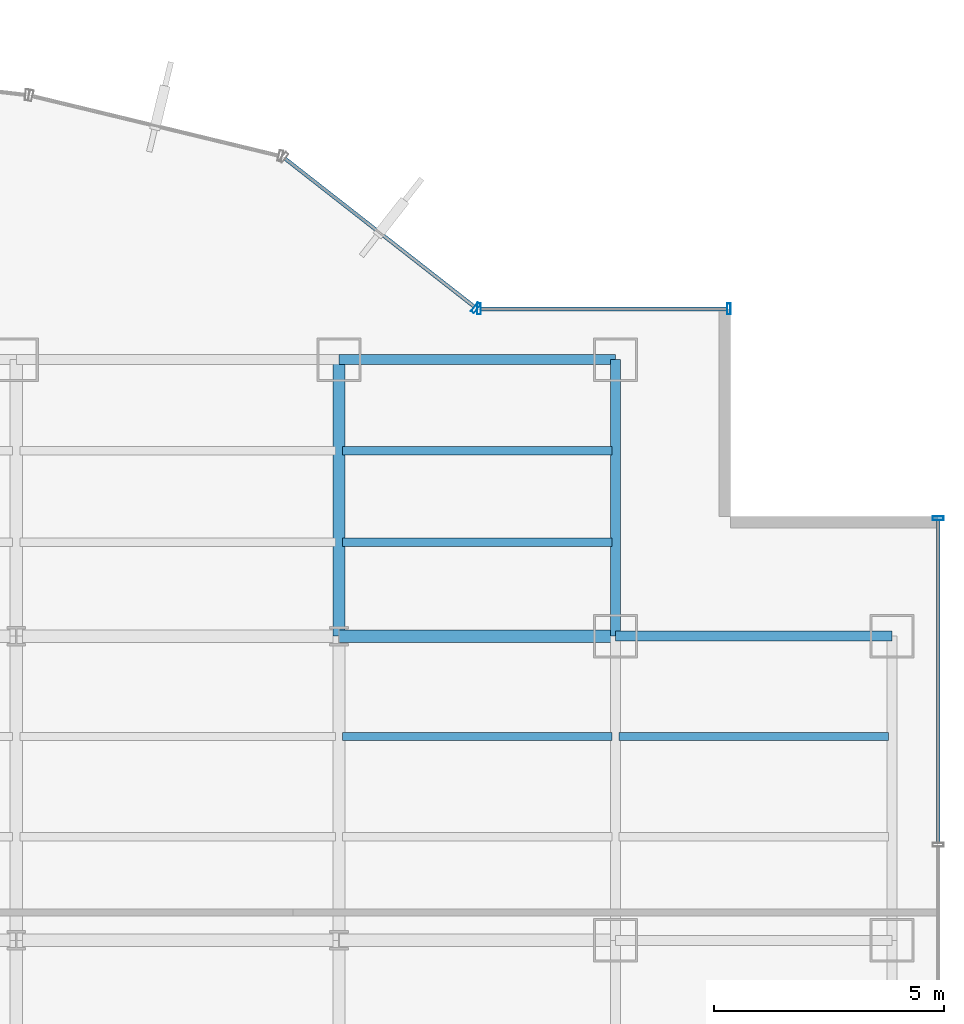
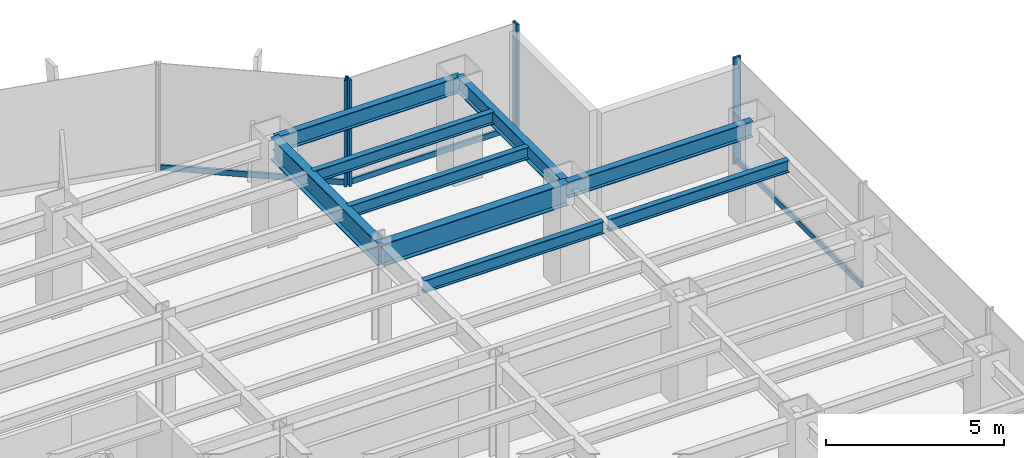
# One storey, part 15 of 22: 9 beams, 7 members, 3 elements without a shape of their own.
"""IFC4 building model written with IfcOpenShell, lengths in metres."""

from ifc_helpers import new_model, si_unit, derived_unit, direction, frame, origin, origin_2d, place, context, subcontext, project, spatial, hollow_rectangle, i_section, extrude, source, transform, mapped, material, material_profile, profile_set, type_object, element, aggregate, save


model = new_model("IFC4")

# Units and contexts
model_context = context("Model", 3, precision=1e-05, world=origin(), true_north=direction((0.0, 1.0)))
body_context = subcontext(model_context, "Body", "Model", "MODEL_VIEW")
ifc_project = project(units=[si_unit("LENGTHUNIT", "METRE"), si_unit("AREAUNIT", "SQUARE_METRE"), si_unit("VOLUMEUNIT", "CUBIC_METRE"), si_unit("PLANEANGLEUNIT", "RADIAN"), si_unit("MASSUNIT", "GRAM", prefix="KILO"), derived_unit("THERMALTRANSMITTANCEUNIT", [(si_unit("POWERUNIT", "WATT"), 1), (si_unit("LENGTHUNIT", "METRE"), -2), (si_unit("THERMODYNAMICTEMPERATUREUNIT", "KELVIN"), -1)])], contexts=[model_context])

# Site, building, storey
site_placement = place(None, origin())
site = spatial("IfcSite", under=ifc_project, at=site_placement, CompositionType="ELEMENT")
building_placement = place(site_placement, origin())
building = spatial("IfcBuilding", under=site, at=building_placement, Name="Skarnbrae Concourse Arena and Tower", CompositionType="ELEMENT")
storey_placement = place(building_placement, frame((0.0, 0.0, 36.14990234375)))
storey = spatial("IfcBuildingStorey", under=building, at=storey_placement, Name="L07", CompositionType="ELEMENT", Elevation=36.14990234375)

# Beams
ifc_material_1 = material(Name="Steel CSA G40.21 350W", Category="steel")
ifc_material_profile_1 = material_profile(ifc_material_1, i_section(OverallWidth=0.214111328125, OverallDepth=0.549072265625, WebThickness=0.0146484375, FlangeThickness=0.023681640625, at=origin_2d()), Name="W530X138")
ifc_profile_set_1 = profile_set([ifc_material_profile_1], Name="Steel CSA G40.21 350W")
beam_type_1 = type_object("IfcBeamType", Name="BM-SPAN-W530X138", PredefinedType="SPANDREL", material=ifc_profile_set_1)
shared_shape_1 = source(origin(), body_context, "Body", "SweptSolid", [
    extrude(i_section(OverallWidth=0.214111328125, OverallDepth=0.549072265625, WebThickness=0.0146484375, FlangeThickness=0.023681640625, at=origin_2d()), origin(), (0.0, 0.0, 1.0), 6.0),
])
for number, where, z_axis, x_axis, name in (
    (1, (55.0, 34.39990234375, 3.12548828125), (1.0, 0.0, 0.0), (0.0, 1.0, 0.0), "L07 Perimeter spandrel Y34.4-9"),
    (2, (49.0, 40.39990234375, 3.12548828125), (1.0, 0.0, 0.0), (0.0, 1.0, 0.0), "L07 Perimeter spandrel Y40.4-7"),
    (3, (55.0, 34.39990234375, 3.12548828125), (0.0, 1.0, 0.0), (-1.0, 0.0, 0.0), "L07 Perimeter spandrel X55.0-5"),
):
    element("IfcBeam", number, at=place(storey_placement, frame(where, z_axis=z_axis, x_axis=x_axis)), inside=storey, type_object=beam_type_1, Name=name, PredefinedType="SPANDREL", context=body_context, shape_type="MappedRepresentation", body=[
        mapped(shared_shape_1, transform((0.0, 0.0, 0.0))),
    ])
ifc_material_profile_2 = material_profile(ifc_material_1, i_section(OverallWidth=0.26806640625, OverallDepth=0.77001953125, WebThickness=0.015625, FlangeThickness=0.025390625, at=origin_2d()), Name="W760X196")
ifc_profile_set_2 = profile_set([ifc_material_profile_2], Name="Steel CSA G40.21 350W")
beam_type_2 = type_object("IfcBeamType", Name="BM-GIRD-W760X196", PredefinedType="BEAM", material=ifc_profile_set_2)
shared_shape_2 = source(origin(), body_context, "Body", "SweptSolid", [
    extrude(i_section(OverallWidth=0.26806640625, OverallDepth=0.77001953125, WebThickness=0.015625, FlangeThickness=0.025390625, at=origin_2d()), origin(), (0.0, 0.0, 1.0), 6.0),
])
for number, where, z_axis, x_axis, name in (
    (4, (49.0, 34.39990234375, 3.01513671875), (1.0, 0.0, 0.0), (0.0, 1.0, 0.0), "L07 Primary E-W girder Y34.4-8"),
    (5, (49.0, 34.39990234375, 3.01513671875), (0.0, 1.0, 0.0), (-1.0, 0.0, 0.0), "L07 Primary N-S girder X49.0-5"),
):
    element("IfcBeam", number, at=place(storey_placement, frame(where, z_axis=z_axis, x_axis=x_axis)), inside=storey, type_object=beam_type_2, Name=name, PredefinedType="BEAM", context=body_context, shape_type="MappedRepresentation", body=[
        mapped(shared_shape_2, transform((0.0, 0.0, 0.0))),
    ])
ifc_material_profile_3 = material_profile(ifc_material_1, i_section(OverallWidth=0.180908203125, OverallDepth=0.4169921875, WebThickness=0.010986328125, FlangeThickness=0.018310546875, at=origin_2d()), Name="W410X85")
ifc_profile_set_3 = profile_set([ifc_material_profile_3], Name="Steel CSA G40.21 350W")
beam_type_3 = type_object("IfcBeamType", Name="BM-JOIST-W410X85", PredefinedType="JOIST", material=ifc_profile_set_3)
shared_shape_3 = source(origin(), body_context, "Body", "SweptSolid", [
    extrude(i_section(OverallWidth=0.180908203125, OverallDepth=0.4169921875, WebThickness=0.010986328125, FlangeThickness=0.018310546875, at=origin_2d()), origin(), (0.0, 0.0, 1.0), 5.83984375),
])
for number, where, z_axis, x_axis, name in (
    (6, (49.080078125, 32.221923828125, 3.191650390625), (1.0, 0.0, 0.0), (0.0, 1.0, 0.0), "L07 Secondary floor joist 3.2.8"),
    (7, (55.080078125, 32.221923828125, 3.191650390625), (1.0, 0.0, 0.0), (0.0, 1.0, 0.0), "L07 Secondary floor joist 3.2.9"),
    (8, (49.080078125, 36.43994140625, 3.191650390625), (1.0, 0.0, 0.0), (0.0, 1.0, 0.0), "L07 Secondary floor joist 4.1.7"),
    (9, (49.080078125, 38.419921875, 3.191650390625), (1.0, 0.0, 0.0), (0.0, 1.0, 0.0), "L07 Secondary floor joist 4.2.7"),
):
    element("IfcBeam", number, at=place(storey_placement, frame(where, z_axis=z_axis, x_axis=x_axis)), inside=storey, type_object=beam_type_3, Name=name, PredefinedType="JOIST", context=body_context, shape_type="MappedRepresentation", body=[
        mapped(shared_shape_3, transform((0.0, 0.0, 0.0))),
    ])

# Curtain wall, member
ifc_material_2 = material(Name="Bronze anodised aluminium 6063-T6", Category="aluminium")
curtain_wall_type = type_object("IfcCurtainWallType", Name="CW-SYS-02-LOWZONE", PredefinedType="USERDEFINED", material=ifc_material_2)
curtain_wall_1_placement = place(storey_placement, origin())
curtain_wall_1 = element("IfcCurtainWall", 10, at=curtain_wall_1_placement, inside=storey, type_object=curtain_wall_type, Name="L07 Unitised curtain wall CW-L07-E04", ObjectType="UNITISED CURTAIN WALL", PredefinedType="USERDEFINED")
ifc_material_profile_4 = material_profile(ifc_material_2, hollow_rectangle(XDim=0.080078125, YDim=0.18994140625, WallThickness=0.0048828125, at=origin_2d()), Name="ALU-TRAN-80X190")
ifc_profile_set_4 = profile_set([ifc_material_profile_4], Name="Bronze anodised aluminium 6063-T6")
member_type_1 = type_object("IfcMemberType", Name="CWT-CW-02", PredefinedType="USERDEFINED", material=ifc_profile_set_4)
shared_shape_4 = source(origin(), body_context, "Body", "SweptSolid", [
    extrude(hollow_rectangle(XDim=0.080078125, YDim=0.18994140625, WallThickness=0.0048828125, at=origin_2d()), origin(), (0.0, 0.0, 1.0), 7.0048828125),
])
member_1_placement = place(storey_placement, frame((62.0, 29.9150390625, 0.09521484375), z_axis=(0.0, 1.0, 0.0), x_axis=(-1.0, 0.0, 0.0)))
member_1 = element("IfcMember", 11, at=member_1_placement, type_object=member_type_1, Name="CW-L07-E04 Transom 4", ObjectType="TRANSOM", PredefinedType="USERDEFINED", context=body_context, shape_type="MappedRepresentation", body=[
    mapped(shared_shape_4, transform((0.0, 0.0, 0.0))),
])

curtain_wall_2_placement = place(storey_placement, origin())
curtain_wall_2 = element("IfcCurtainWall", 12, at=curtain_wall_2_placement, inside=storey, type_object=curtain_wall_type, Name="L07 Unitised curtain wall CW-L07-E07", ObjectType="UNITISED CURTAIN WALL", PredefinedType="USERDEFINED")
shared_shape_5 = source(origin(), body_context, "Body", "SweptSolid", [
    extrude(hollow_rectangle(XDim=0.080078125, YDim=0.18994140625, WallThickness=0.0048828125, at=origin_2d()), origin(), (0.0, 0.0, 1.0), 5.33984375),
])
member_2_placement = place(storey_placement, frame((57.419921875, 41.5, 0.09521484375), z_axis=(-1.0, 0.0, 0.0), x_axis=(0.0, -1.0, 0.0)))
member_2 = element("IfcMember", 13, at=member_2_placement, type_object=member_type_1, Name="CW-L07-E07 Transom 1", ObjectType="TRANSOM", PredefinedType="USERDEFINED", context=body_context, shape_type="MappedRepresentation", body=[
    mapped(shared_shape_5, transform((0.0, 0.0, 0.0))),
])

curtain_wall_3_placement = place(storey_placement, origin())
curtain_wall_3 = element("IfcCurtainWall", 14, at=curtain_wall_3_placement, inside=storey, type_object=curtain_wall_type, Name="L07 Unitised curtain wall CW-L07-E08", ObjectType="UNITISED CURTAIN WALL", PredefinedType="USERDEFINED")
shared_shape_6 = source(origin(), body_context, "Body", "SweptSolid", [
    extrude(hollow_rectangle(XDim=0.080078125, YDim=0.18994140625, WallThickness=0.0048828125, at=origin_2d()), origin(), (0.0, 0.0, 1.0), 5.215087890625),
])
member_3_placement = place(storey_placement, frame((51.93701171875, 41.54931640625, 0.09521484375), z_axis=(-0.787650196702, 0.616122688784, 0.0), x_axis=(-0.616122688784, -0.787650196702, 0.0)))
member_3 = element("IfcMember", 15, at=member_3_placement, type_object=member_type_1, Name="CW-L07-E08 Transom 1", ObjectType="TRANSOM", PredefinedType="USERDEFINED", context=body_context, shape_type="MappedRepresentation", body=[
    mapped(shared_shape_6, transform((0.0, 0.0, 0.0))),
])

# Member
ifc_material_profile_5 = material_profile(ifc_material_2, hollow_rectangle(XDim=0.080078125, YDim=0.239990234375, WallThickness=0.0048828125, at=origin_2d()), Name="ALU-MULL-80X240")
ifc_profile_set_5 = profile_set([ifc_material_profile_5], Name="Bronze anodised aluminium 6063-T6")
member_type_2 = type_object("IfcMemberType", Name="CWM-CW-02", PredefinedType="MULLION", material=ifc_profile_set_5)
shared_shape_7 = source(origin(), body_context, "Body", "SweptSolid", [
    extrude(hollow_rectangle(XDim=0.080078125, YDim=0.239990234375, WallThickness=0.0048828125, at=origin_2d()), origin(), (0.0, 0.0, 1.0), 3.650146484375),
])
member_4_placement = place(storey_placement, frame((62.0, 36.9599609375, 0.0), z_axis=(0.0, 0.0, 1.0), x_axis=(0.0, 1.0, 0.0)))
member_4 = element("IfcMember", 16, at=member_4_placement, type_object=member_type_2, Name="CW-L07-E04 Mullion 5", PredefinedType="MULLION", context=body_context, shape_type="MappedRepresentation", body=[
    mapped(shared_shape_7, transform((0.0, 0.0, 0.0))),
])

aggregate(curtain_wall_1, [member_4, member_1])

member_5_placement = place(storey_placement, frame((57.4599609375, 41.5, 0.0), z_axis=(0.0, 0.0, 1.0), x_axis=(-1.0, 0.0, 0.0)))
member_5 = element("IfcMember", 17, at=member_5_placement, type_object=member_type_2, Name="CW-L07-E07 Mullion 1", PredefinedType="MULLION", context=body_context, shape_type="MappedRepresentation", body=[
    mapped(shared_shape_7, transform((0.0, 0.0, 0.0))),
])

member_6_placement = place(storey_placement, frame((52.0400390625, 41.5, 0.0), z_axis=(0.0, 0.0, 1.0), x_axis=(-1.0, 0.0, 0.0)))
member_6 = element("IfcMember", 18, at=member_6_placement, type_object=member_type_2, Name="CW-L07-E07 Mullion 2", PredefinedType="MULLION", context=body_context, shape_type="MappedRepresentation", body=[
    mapped(shared_shape_7, transform((0.0, 0.0, 0.0))),
])

aggregate(curtain_wall_2, [member_5, member_6, member_2])

member_7_placement = place(storey_placement, frame((51.968505859375, 41.524658203125, 0.0), z_axis=(0.0, 0.0, 1.0), x_axis=(-0.787651726054, 0.616120733658, 0.0)))
member_7 = element("IfcMember", 19, at=member_7_placement, type_object=member_type_2, Name="CW-L07-E08 Mullion 1", PredefinedType="MULLION", context=body_context, shape_type="MappedRepresentation", body=[
    mapped(shared_shape_7, transform((0.0, 0.0, 0.0))),
])

aggregate(curtain_wall_3, [member_7, member_3])

save(model, "model.ifc")
